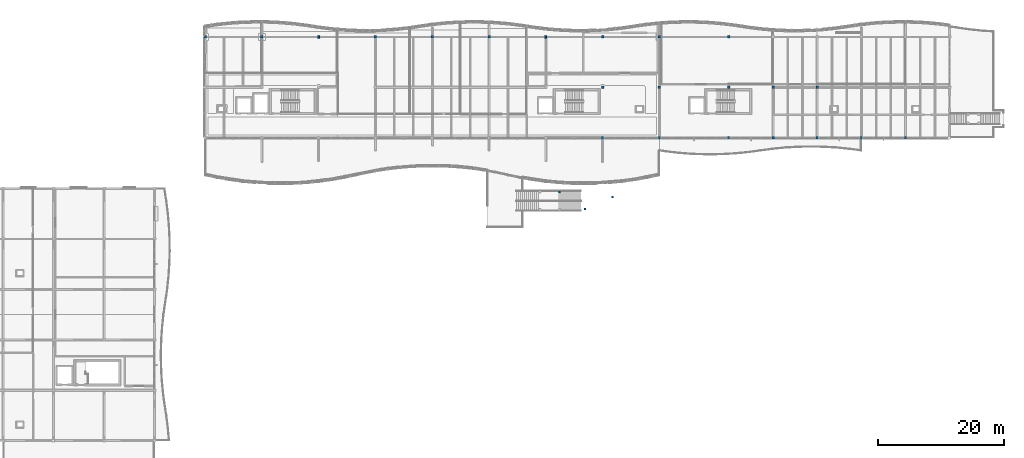
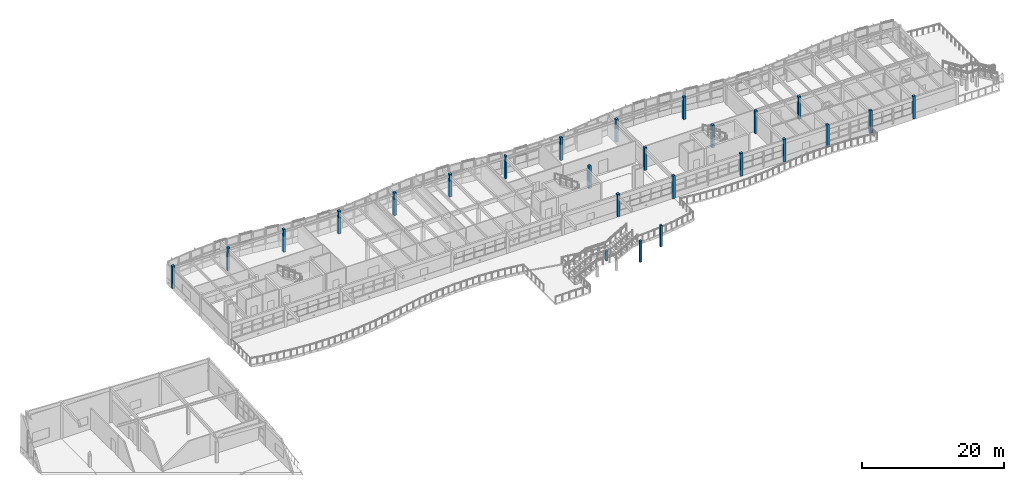
# One storey, part 2 of 52: 25 columns.
"""IFC4 building model written with IfcOpenShell, lengths in metres."""

from ifc_helpers import new_model, si_unit, direction, frame, origin, origin_2d, place, context, subcontext, project, spatial, rectangle, extrude, material, material_profile, profile_set, type_object, element, save


model = new_model("IFC4")

# Units and contexts
model_context = context("Model", 3, precision=1e-05, world=origin(), true_north=direction((0.0, 1.0)))
body_context = subcontext(model_context, "Body", "Model", "MODEL_VIEW")
ifc_project = project(units=[si_unit("LENGTHUNIT", "METRE"), si_unit("AREAUNIT", "SQUARE_METRE"), si_unit("VOLUMEUNIT", "CUBIC_METRE"), si_unit("PLANEANGLEUNIT", "RADIAN"), si_unit("MASSUNIT", "GRAM", prefix="KILO")], contexts=[model_context])

# Site, building, storey
site_placement = place(None, origin())
site = spatial("IfcSite", under=ifc_project, at=site_placement, CompositionType="ELEMENT")
building_placement = place(site_placement, origin())
building = spatial("IfcBuilding", under=site, at=building_placement, Name="Tonlespit Floodbar School", CompositionType="ELEMENT")
storey_placement = place(building_placement, frame((0.0, 0.0, 12.300048828125)))
storey = spatial("IfcBuildingStorey", under=building, at=storey_placement, Name="L03", CompositionType="ELEMENT", Elevation=12.300048828125)

# Columns
ifc_material = material(Name="Glulam GL28h", Category="wood")
ifc_material_profile_1 = material_profile(ifc_material, rectangle(XDim=0.320068359375, YDim=0.320068359375, at=origin_2d()), Name="GL 320x320")
ifc_profile_set_1 = profile_set([ifc_material_profile_1], Name="Glulam GL28h")
column_type_1 = type_object("IfcColumnType", Name="Column_GL_320x320", PredefinedType="COLUMN", material=ifc_profile_set_1)
for number, where, z_axis, x_axis, name in (
    (1, (104.169921875, 92.75, 0.0), (0.0, 0.0, 1.0), (1.0, 0.0, 0.0), "L03 courtyard amphitheatre column ST-CT4-P1"),
    (2, (108.570068359375, 94.60009765625, 0.0), (0.0, 0.0, 1.0), (1.0, 0.0, 0.0), "L03 courtyard amphitheatre column ST-CT4-P2"),
):
    element("IfcColumn", number, at=place(storey_placement, frame(where, z_axis=z_axis, x_axis=x_axis)), inside=storey, type_object=column_type_1, Name=name, PredefinedType="COLUMN", context=body_context, shape_type="SweptSolid", body=[
        extrude(rectangle(XDim=0.320068359375, YDim=0.320068359375, at=origin_2d()), origin(), (0.0, 0.0, 1.0), 3.64794921875),
    ])
column_1_placement = place(storey_placement, frame((100.179931640625, 95.3798828125, 0.0), z_axis=(0.0, 0.0, 1.0), x_axis=(1.0, 0.0, 0.0)))
element("IfcColumn", 3, at=column_1_placement, inside=storey, type_object=column_type_1, Name="L03 stair ST-CT4 landing column 3", PredefinedType="COLUMN", context=body_context, shape_type="SweptSolid", body=[
    extrude(rectangle(XDim=0.320068359375, YDim=0.320068359375, at=origin_2d()), origin(), (0.0, 0.0, 1.0), 1.75),
])
ifc_material_profile_2 = material_profile(ifc_material, rectangle(XDim=0.360107421875, YDim=0.360107421875, at=origin_2d()), Name="GL 360x360")
ifc_profile_set_2 = profile_set([ifc_material_profile_2], Name="Glulam GL28h")
column_type_2 = type_object("IfcColumnType", Name="Column_GL_360x360", PredefinedType="COLUMN", material=ifc_profile_set_2)
column_2_placement = place(storey_placement, frame((155.0, 104.0, 0.0), z_axis=(0.0, 0.0, 1.0), x_axis=(1.0, 0.0, 0.0)))
element("IfcColumn", 4, at=column_2_placement, inside=storey, type_object=column_type_2, Name="L03 column U19/V15", PredefinedType="COLUMN", context=body_context, shape_type="SweptSolid", body=[
    extrude(rectangle(XDim=0.360107421875, YDim=0.360107421875, at=origin_2d()), origin(), (0.0, 0.0, 1.0), 3.89990234375),
])
ifc_material_profile_3 = material_profile(ifc_material, rectangle(XDim=0.39990234375, YDim=0.39990234375, at=origin_2d()), Name="GL 400x400")
ifc_profile_set_3 = profile_set([ifc_material_profile_3], Name="Glulam GL28h")
column_type_3 = type_object("IfcColumnType", Name="Column_GL_400x400", PredefinedType="COLUMN", material=ifc_profile_set_3)
for number, where, z_axis, x_axis, name in (
    (5, (44.0, 120.0, 0.0), (0.0, 0.0, 1.0), (1.0, 0.0, 0.0), "L03 column U06/V17"),
    (6, (53.0, 120.0, 0.0), (0.0, 0.0, 1.0), (1.0, 0.0, 0.0), "L03 column U07/V17"),
    (7, (71.0, 120.0, 0.0), (0.0, 0.0, 1.0), (1.0, 0.0, 0.0), "L03 column U09/V17"),
    (8, (80.0, 120.0, 0.0), (0.0, 0.0, 1.0), (1.0, 0.0, 0.0), "L03 column U10/V17"),
    (9, (89.0, 120.0, 0.0), (0.0, 0.0, 1.0), (1.0, 0.0, 0.0), "L03 column U11/V17"),
    (10, (107.0, 104.0, 0.0), (0.0, 0.0, 1.0), (1.0, 0.0, 0.0), "L03 column U13/V15"),
    (11, (107.0, 112.0, 0.0), (0.0, 0.0, 1.0), (1.0, 0.0, 0.0), "L03 column U13/V16"),
    (12, (107.0, 120.0, 0.0), (0.0, 0.0, 1.0), (1.0, 0.0, 0.0), "L03 column U13/V17"),
    (13, (116.0, 104.0, 0.0), (0.0, 0.0, 1.0), (1.0, 0.0, 0.0), "L03 column U14/V15"),
    (14, (116.0, 112.0, 0.0), (0.0, 0.0, 1.0), (1.0, 0.0, 0.0), "L03 column U14/V16"),
    (15, (116.0, 120.0, 0.0), (0.0, 0.0, 1.0), (1.0, 0.0, 0.0), "L03 column U14/V17"),
    (16, (127.0, 104.0, 0.0), (0.0, 0.0, 1.0), (1.0, 0.0, 0.0), "L03 column U15/V15"),
    (17, (127.0, 112.0, 0.0), (0.0, 0.0, 1.0), (1.0, 0.0, 0.0), "L03 column U15/V16"),
    (18, (127.0, 120.0, 0.0), (0.0, 0.0, 1.0), (1.0, 0.0, 0.0), "L03 column U15/V17"),
    (19, (134.0, 104.0, 0.0), (0.0, 0.0, 1.0), (1.0, 0.0, 0.0), "L03 column U16/V15"),
    (20, (134.0, 112.0, 0.0), (0.0, 0.0, 1.0), (1.0, 0.0, 0.0), "L03 column U16/V16"),
    (21, (141.0, 104.0, 0.0), (0.0, 0.0, 1.0), (1.0, 0.0, 0.0), "L03 column U17/V15"),
    (22, (141.0, 112.0, 0.0), (0.0, 0.0, 1.0), (1.0, 0.0, 0.0), "L03 column U17/V16"),
    (23, (148.0, 104.0, 0.0), (0.0, 0.0, 1.0), (1.0, 0.0, 0.0), "L03 column U18/V15"),
):
    element("IfcColumn", number, at=place(storey_placement, frame(where, z_axis=z_axis, x_axis=x_axis)), inside=storey, type_object=column_type_3, Name=name, PredefinedType="COLUMN", context=body_context, shape_type="SweptSolid", body=[
        extrude(rectangle(XDim=0.39990234375, YDim=0.39990234375, at=origin_2d()), origin(), (0.0, 0.0, 1.0), 3.89990234375),
    ])
ifc_material_profile_4 = material_profile(ifc_material, rectangle(XDim=0.280029296875, YDim=0.419921875, at=origin_2d()), Name="GL 280x420")
ifc_profile_set_4 = profile_set([ifc_material_profile_4], Name="Glulam GL28h")
column_type_4 = type_object("IfcColumnType", Name="Pilaster_GL_280x420", PredefinedType="PILASTER", material=ifc_profile_set_4)
for number, where, z_axis, x_axis, name in (
    (24, (62.0, 120.0, 0.0), (0.0, 0.0, 1.0), (1.0, 0.0, 0.0), "L03 column U08/V17"),
    (25, (98.0, 120.0, 0.0), (0.0, 0.0, 1.0), (1.0, 0.0, 0.0), "L03 column U12/V17"),
):
    element("IfcColumn", number, at=place(storey_placement, frame(where, z_axis=z_axis, x_axis=x_axis)), inside=storey, type_object=column_type_4, Name=name, PredefinedType="PILASTER", context=body_context, shape_type="SweptSolid", body=[
        extrude(rectangle(XDim=0.280029296875, YDim=0.419921875, at=origin_2d()), origin(), (0.0, 0.0, 1.0), 3.89990234375),
    ])

save(model, "model.ifc")
